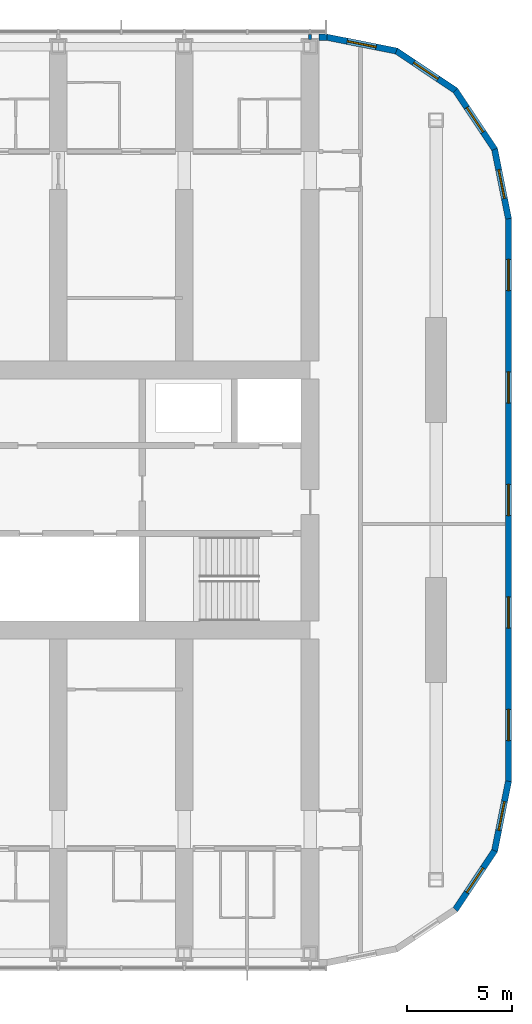
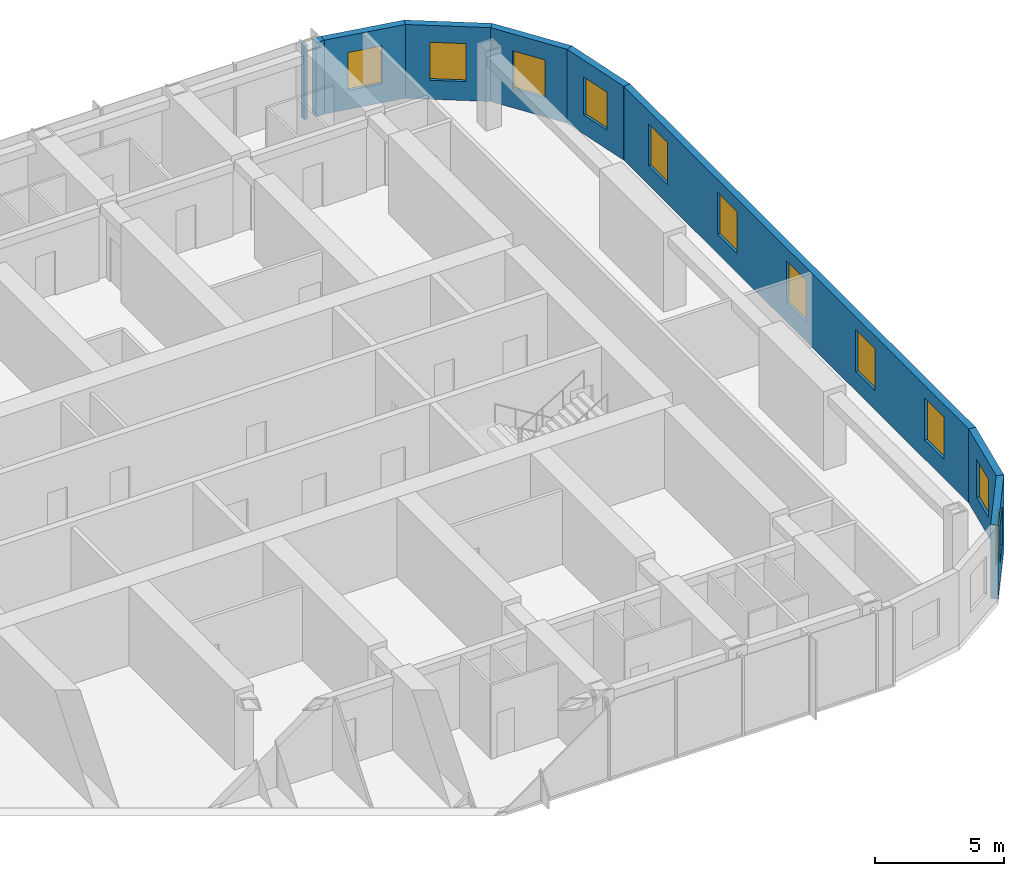
# One storey, part 17 of 22: 11 windows, 9 walls, 11 openings.
"""IFC4 building model written with IfcOpenShell, lengths in metres."""

from ifc_helpers import new_model, si_unit, direction, frame, frame_2d, origin, place, context, subcontext, project, spatial, polyline, rectangle, outline, extrude, material, layer, layer_set, type_object, element, fill, save


model = new_model("IFC4")

# Units and contexts
model_context = context("Model", 3, precision=1e-05, world=origin(), true_north=direction((0.0, 1.0)))
body_context = subcontext(model_context, "Body", "Model", "MODEL_VIEW")
ifc_project = project(units=[si_unit("LENGTHUNIT", "METRE"), si_unit("AREAUNIT", "SQUARE_METRE"), si_unit("VOLUMEUNIT", "CUBIC_METRE"), si_unit("PLANEANGLEUNIT", "RADIAN"), si_unit("MASSUNIT", "GRAM", prefix="KILO")], contexts=[model_context])

# Site, building, storey
site_placement = place(None, origin())
site = spatial("IfcSite", under=ifc_project, at=site_placement, CompositionType="ELEMENT")
building_placement = place(site_placement, origin())
building = spatial("IfcBuilding", under=site, at=building_placement, Name="Orbita Commons", CompositionType="ELEMENT")
storey_placement = place(building_placement, frame((0.0, 0.0, 182.35009765625)))
storey = spatial("IfcBuildingStorey", under=building, at=storey_placement, Name="L45", CompositionType="ELEMENT", Elevation=182.35009765625)

# Wall
ifc_material_1 = material(Name="Gypsum plasterboard on steel studs", Category="steel")
ifc_layer_1 = layer(ifc_material_1, 0.14990234375)
ifc_layer_set_1 = layer_set([ifc_layer_1], Name="Gypsum plasterboard on steel studs")
wall_type_1 = type_object("IfcWallType", Name="Partition 150 plasterboard", PredefinedType="PARTITIONING", material=ifc_layer_set_1)
wall_1_placement = place(storey_placement, frame((66.0, 53.949951171875, 0.0), z_axis=(0.0, 0.0, 1.0), x_axis=(0.0, 1.0, 0.0)))
element("IfcWall", 1, at=wall_1_placement, inside=storey, type_object=wall_type_1, Name="Partition 150 plasterboard L45", PredefinedType="PARTITIONING", context=body_context, shape_type="SweptSolid", body=[
    extrude(rectangle(XDim=0.239990234375, YDim=0.14990234375, at=frame_2d((0.1201171875, 0.0))), origin(), (0.0, 0.0, 1.0), 3.5),
])

# Wall, openings, windows
ifc_material_2 = material(Name="Precast concrete C40/50, white board-marked finish", Category="concrete")
ifc_layer_2 = layer(ifc_material_2, 0.300048828125)
ifc_layer_set_2 = layer_set([ifc_layer_2], Name="Precast concrete C40/50, white board-marked finish")
wall_type_2 = type_object("IfcWallType", Name="Precast concrete end shield 300", PredefinedType="SOLIDWALL", material=ifc_layer_set_2)
wall_2_placement = place(storey_placement, frame((75.449951171875, 18.60009765625, 0.0), z_axis=(0.0, 0.0, 1.0), x_axis=(0.0, 1.0, 0.0)))
wall_2 = element("IfcWall", 2, at=wall_2_placement, inside=storey, type_object=wall_type_2, Name="End shield E L45", PredefinedType="SOLIDWALL", context=body_context, shape_type="SweptSolid", body=[
    extrude(outline(polyline([(-0.014892578125, -0.14990234375), (26.814697265625, -0.14990234375), (26.784912109375, 0.14990234375), (0.014892578125, 0.14990234375), (-0.014892578125, -0.14990234375)])), origin(), (0.0, 0.0, 1.0), 3.5),
])
opening_1_placement = place(wall_2_placement, frame((1.929931640625, 0.0, 0.89990234375)))
opening_1 = element("IfcOpeningElement", 3, at=opening_1_placement, cuts=wall_2, Name="Opening W01", PredefinedType="OPENING", context=body_context, shape_type="SweptSolid", body=[
    extrude(rectangle(XDim=1.5, YDim=2.0, at=frame_2d((0.75, 1.0))), frame((0.0, 0.159912109375, 0.0), z_axis=(0.0, -1.0, 0.0), x_axis=(1.0, 0.0, 0.0)), (0.0, 0.0, 1.0), 0.320068359375),
])
opening_2_placement = place(wall_2_placement, frame((7.2900390625, 0.0, 0.89990234375)))
opening_2 = element("IfcOpeningElement", 4, at=opening_2_placement, cuts=wall_2, Name="Opening W01", PredefinedType="OPENING", context=body_context, shape_type="SweptSolid", body=[
    extrude(rectangle(XDim=1.5, YDim=2.0, at=frame_2d((0.75, 1.0))), frame((0.0, 0.159912109375, 0.0), z_axis=(0.0, -1.0, 0.0), x_axis=(1.0, 0.0, 0.0)), (0.0, 0.0, 1.0), 0.320068359375),
])
opening_3_placement = place(wall_2_placement, frame((12.64990234375, 0.0, 0.89990234375)))
opening_3 = element("IfcOpeningElement", 5, at=opening_3_placement, cuts=wall_2, Name="Opening W01", PredefinedType="OPENING", context=body_context, shape_type="SweptSolid", body=[
    extrude(rectangle(XDim=1.5, YDim=2.0, at=frame_2d((0.75, 1.0))), frame((0.0, 0.159912109375, 0.0), z_axis=(0.0, -1.0, 0.0), x_axis=(1.0, 0.0, 0.0)), (0.0, 0.0, 1.0), 0.320068359375),
])
opening_4_placement = place(wall_2_placement, frame((18.010009765625, 0.0, 0.89990234375)))
opening_4 = element("IfcOpeningElement", 6, at=opening_4_placement, cuts=wall_2, Name="Opening W01", PredefinedType="OPENING", context=body_context, shape_type="SweptSolid", body=[
    extrude(rectangle(XDim=1.5, YDim=2.0, at=frame_2d((0.75, 1.0))), frame((0.0, 0.159912109375, 0.0), z_axis=(0.0, -1.0, 0.0), x_axis=(1.0, 0.0, 0.0)), (0.0, 0.0, 1.0), 0.320068359375),
])
opening_5_placement = place(wall_2_placement, frame((23.3701171875, 0.0, 0.89990234375)))
opening_5 = element("IfcOpeningElement", 7, at=opening_5_placement, cuts=wall_2, Name="Opening W01", PredefinedType="OPENING", context=body_context, shape_type="SweptSolid", body=[
    extrude(rectangle(XDim=1.5, YDim=2.0, at=frame_2d((0.75, 1.0))), frame((0.0, 0.159912109375, 0.0), z_axis=(0.0, -1.0, 0.0), x_axis=(1.0, 0.0, 0.0)), (0.0, 0.0, 1.0), 0.320068359375),
])
ifc_material_3 = material(Name="Aluminium frame, clear double glazing", Category="aluminium")
window_type_1 = type_object("IfcWindowType", Name="Deep-set window 1500x2000", PartitioningType="SINGLE_PANEL", PredefinedType="WINDOW", material=ifc_material_3)
window_1_placement = place(opening_1_placement, origin())
window_1 = element("IfcWindow", 8, at=window_1_placement, inside=storey, type_object=window_type_1, Name="Window L45-E 1", OverallHeight=2.0, OverallWidth=1.5, PartitioningType="SINGLE_PANEL", PredefinedType="WINDOW", context=body_context, shape_type="SweptSolid", body=[
    extrude(rectangle(XDim=1.5, YDim=2.0, at=frame_2d((0.75, 1.0))), frame((0.0, 0.030029296875, 0.0), z_axis=(0.0, -1.0, 0.0), x_axis=(1.0, 0.0, 0.0)), (0.0, 0.0, 1.0), 0.06005859375),
])
fill(opening_1, window_1)
window_2_placement = place(opening_2_placement, origin())
window_2 = element("IfcWindow", 9, at=window_2_placement, inside=storey, type_object=window_type_1, Name="Window L45-E 2", OverallHeight=2.0, OverallWidth=1.5, PartitioningType="SINGLE_PANEL", PredefinedType="WINDOW", context=body_context, shape_type="SweptSolid", body=[
    extrude(rectangle(XDim=1.5, YDim=2.0, at=frame_2d((0.75, 1.0))), frame((0.0, 0.030029296875, 0.0), z_axis=(0.0, -1.0, 0.0), x_axis=(1.0, 0.0, 0.0)), (0.0, 0.0, 1.0), 0.06005859375),
])
fill(opening_2, window_2)
window_3_placement = place(opening_3_placement, origin())
window_3 = element("IfcWindow", 10, at=window_3_placement, inside=storey, type_object=window_type_1, Name="Window L45-E 3", OverallHeight=2.0, OverallWidth=1.5, PartitioningType="SINGLE_PANEL", PredefinedType="WINDOW", context=body_context, shape_type="SweptSolid", body=[
    extrude(rectangle(XDim=1.5, YDim=2.0, at=frame_2d((0.75, 1.0))), frame((0.0, 0.030029296875, 0.0), z_axis=(0.0, -1.0, 0.0), x_axis=(1.0, 0.0, 0.0)), (0.0, 0.0, 1.0), 0.06005859375),
])
fill(opening_3, window_3)
window_4_placement = place(opening_4_placement, origin())
window_4 = element("IfcWindow", 11, at=window_4_placement, inside=storey, type_object=window_type_1, Name="Window L45-E 4", OverallHeight=2.0, OverallWidth=1.5, PartitioningType="SINGLE_PANEL", PredefinedType="WINDOW", context=body_context, shape_type="SweptSolid", body=[
    extrude(rectangle(XDim=1.5, YDim=2.0, at=frame_2d((0.75, 1.0))), frame((0.0, 0.030029296875, 0.0), z_axis=(0.0, -1.0, 0.0), x_axis=(1.0, 0.0, 0.0)), (0.0, 0.0, 1.0), 0.06005859375),
])
fill(opening_4, window_4)
window_5_placement = place(opening_5_placement, origin())
window_5 = element("IfcWindow", 12, at=window_5_placement, inside=storey, type_object=window_type_1, Name="Window L45-E 5", OverallHeight=2.0, OverallWidth=1.5, PartitioningType="SINGLE_PANEL", PredefinedType="WINDOW", context=body_context, shape_type="SweptSolid", body=[
    extrude(rectangle(XDim=1.5, YDim=2.0, at=frame_2d((0.75, 1.0))), frame((0.0, 0.030029296875, 0.0), z_axis=(0.0, -1.0, 0.0), x_axis=(1.0, 0.0, 0.0)), (0.0, 0.0, 1.0), 0.06005859375),
])
fill(opening_5, window_5)

# Wall, opening, window
wall_3_placement = place(storey_placement, frame((72.91650390625, 12.4833984375, 0.0), z_axis=(0.0, 0.0, 1.0), x_axis=(0.555534554399, 0.831493450887, 0.0)))
wall_3 = element("IfcWall", 13, at=wall_3_placement, inside=storey, type_object=wall_type_2, Name="End shield SE chord 3 L45", PredefinedType="SOLIDWALL", context=body_context, shape_type="SweptSolid", body=[
    extrude(outline(polyline([(-0.02978515625, -0.14990234375), (3.405029296875, -0.14990234375), (3.345458984375, 0.14990234375), (0.02978515625, 0.14990234375), (-0.02978515625, -0.14990234375)])), origin(), (0.0, 0.0, 1.0), 3.5),
])
opening_6_placement = place(wall_3_placement, frame((0.987548828125, 0.0, 0.89990234375)))
opening_6 = element("IfcOpeningElement", 14, at=opening_6_placement, cuts=wall_3, Name="Opening W02", PredefinedType="OPENING", context=body_context, shape_type="SweptSolid", body=[
    extrude(rectangle(XDim=1.39990234375, YDim=1.800048828125, at=frame_2d((0.699951171875, 0.89990234375))), frame((0.0, 0.159912109375, 0.0), z_axis=(0.0, -1.0, 0.0), x_axis=(1.0, 0.0, 0.0)), (0.0, 0.0, 1.0), 0.320068359375),
])
ifc_material_4 = material(Name="Aluminium frame, clear double glazing", Category="aluminium")
window_type_2 = type_object("IfcWindowType", Name="Deep-set window 1400x1800", PartitioningType="SINGLE_PANEL", PredefinedType="WINDOW", material=ifc_material_4)
window_6_placement = place(opening_6_placement, origin())
window_6 = element("IfcWindow", 15, at=window_6_placement, inside=storey, type_object=window_type_2, Name="Window L45-SE2", OverallHeight=1.800048828125, OverallWidth=1.39990234375, PartitioningType="SINGLE_PANEL", PredefinedType="WINDOW", context=body_context, shape_type="SweptSolid", body=[
    extrude(rectangle(XDim=1.39990234375, YDim=1.800048828125, at=frame_2d((0.699951171875, 0.89990234375))), frame((0.0, 0.030029296875, 0.0), z_axis=(0.0, -1.0, 0.0), x_axis=(1.0, 0.0, 0.0)), (0.0, 0.0, 1.0), 0.06005859375),
])
fill(opening_6, window_6)

wall_4_placement = place(storey_placement, frame((74.79150390625, 15.289794921875, 0.0), z_axis=(0.0, 0.0, 1.0), x_axis=(0.19508664885, 0.980786011034, 0.0)))
wall_4 = element("IfcWall", 16, at=wall_4_placement, inside=storey, type_object=wall_type_2, Name="End shield SE chord 4 L45", PredefinedType="SOLIDWALL", context=body_context, shape_type="SweptSolid", body=[
    extrude(outline(polyline([(-0.02978515625, -0.14990234375), (3.39013671875, -0.14990234375), (3.3603515625, 0.14990234375), (0.02978515625, 0.14990234375), (-0.02978515625, -0.14990234375)])), origin(), (0.0, 0.0, 1.0), 3.5),
])
opening_7_placement = place(wall_4_placement, frame((0.987548828125, 0.0, 0.89990234375)))
opening_7 = element("IfcOpeningElement", 17, at=opening_7_placement, cuts=wall_4, Name="Opening W02", PredefinedType="OPENING", context=body_context, shape_type="SweptSolid", body=[
    extrude(rectangle(XDim=1.39990234375, YDim=1.800048828125, at=frame_2d((0.699951171875, 0.89990234375))), frame((0.0, 0.159912109375, 0.0), z_axis=(0.0, -1.0, 0.0), x_axis=(1.0, 0.0, 0.0)), (0.0, 0.0, 1.0), 0.320068359375),
])
window_7_placement = place(opening_7_placement, origin())
window_7 = element("IfcWindow", 18, at=window_7_placement, inside=storey, type_object=window_type_2, Name="Window L45-SE3", OverallHeight=1.800048828125, OverallWidth=1.39990234375, PartitioningType="SINGLE_PANEL", PredefinedType="WINDOW", context=body_context, shape_type="SweptSolid", body=[
    extrude(rectangle(XDim=1.39990234375, YDim=1.800048828125, at=frame_2d((0.699951171875, 0.89990234375))), frame((0.0, 0.030029296875, 0.0), z_axis=(0.0, -1.0, 0.0), x_axis=(1.0, 0.0, 0.0)), (0.0, 0.0, 1.0), 0.06005859375),
])
fill(opening_7, window_7)

wall_5_placement = place(storey_placement, frame((75.449951171875, 45.39990234375, 0.0), z_axis=(0.0, 0.0, 1.0), x_axis=(-0.19508664885, 0.980786011034, 0.0)))
wall_5 = element("IfcWall", 19, at=wall_5_placement, inside=storey, type_object=wall_type_2, Name="End shield NE chord 1 L45", PredefinedType="SOLIDWALL", context=body_context, shape_type="SweptSolid", body=[
    extrude(outline(polyline([(-0.014892578125, -0.14990234375), (3.405029296875, -0.14990234375), (3.345458984375, 0.14990234375), (0.014892578125, 0.14990234375), (-0.014892578125, -0.14990234375)])), origin(), (0.0, 0.0, 1.0), 3.5),
])
opening_8_placement = place(wall_5_placement, frame((0.987548828125, 0.0, 0.89990234375)))
opening_8 = element("IfcOpeningElement", 20, at=opening_8_placement, cuts=wall_5, Name="Opening W02", PredefinedType="OPENING", context=body_context, shape_type="SweptSolid", body=[
    extrude(rectangle(XDim=1.39990234375, YDim=1.800048828125, at=frame_2d((0.699951171875, 0.89990234375))), frame((0.0, 0.159912109375, 0.0), z_axis=(0.0, -1.0, 0.0), x_axis=(1.0, 0.0, 0.0)), (0.0, 0.0, 1.0), 0.320068359375),
])
window_8_placement = place(opening_8_placement, origin())
window_8 = element("IfcWindow", 21, at=window_8_placement, inside=storey, type_object=window_type_2, Name="Window L45-NE0", OverallHeight=1.800048828125, OverallWidth=1.39990234375, PartitioningType="SINGLE_PANEL", PredefinedType="WINDOW", context=body_context, shape_type="SweptSolid", body=[
    extrude(rectangle(XDim=1.39990234375, YDim=1.800048828125, at=frame_2d((0.699951171875, 0.89990234375))), frame((0.0, 0.030029296875, 0.0), z_axis=(0.0, -1.0, 0.0), x_axis=(1.0, 0.0, 0.0)), (0.0, 0.0, 1.0), 0.06005859375),
])
fill(opening_8, window_8)

wall_6_placement = place(storey_placement, frame((74.79150390625, 48.710205078125, 0.0), z_axis=(0.0, 0.0, 1.0), x_axis=(-0.555534554399, 0.831493450887, 0.0)))
wall_6 = element("IfcWall", 22, at=wall_6_placement, inside=storey, type_object=wall_type_2, Name="End shield NE chord 2 L45", PredefinedType="SOLIDWALL", context=body_context, shape_type="SweptSolid", body=[
    extrude(outline(polyline([(-0.02978515625, -0.14990234375), (3.405029296875, -0.14990234375), (3.345458984375, 0.14990234375), (0.02978515625, 0.14990234375), (-0.02978515625, -0.14990234375)])), origin(), (0.0, 0.0, 1.0), 3.5),
])
opening_9_placement = place(wall_6_placement, frame((0.987548828125, 0.0, 0.89990234375)))
opening_9 = element("IfcOpeningElement", 23, at=opening_9_placement, cuts=wall_6, Name="Opening W02", PredefinedType="OPENING", context=body_context, shape_type="SweptSolid", body=[
    extrude(rectangle(XDim=1.39990234375, YDim=1.800048828125, at=frame_2d((0.699951171875, 0.89990234375))), frame((0.0, 0.159912109375, 0.0), z_axis=(0.0, -1.0, 0.0), x_axis=(1.0, 0.0, 0.0)), (0.0, 0.0, 1.0), 0.320068359375),
])
window_9_placement = place(opening_9_placement, origin())
window_9 = element("IfcWindow", 24, at=window_9_placement, inside=storey, type_object=window_type_2, Name="Window L45-NE1", OverallHeight=1.800048828125, OverallWidth=1.39990234375, PartitioningType="SINGLE_PANEL", PredefinedType="WINDOW", context=body_context, shape_type="SweptSolid", body=[
    extrude(rectangle(XDim=1.39990234375, YDim=1.800048828125, at=frame_2d((0.699951171875, 0.89990234375))), frame((0.0, 0.030029296875, 0.0), z_axis=(0.0, -1.0, 0.0), x_axis=(1.0, 0.0, 0.0)), (0.0, 0.0, 1.0), 0.06005859375),
])
fill(opening_9, window_9)

wall_7_placement = place(storey_placement, frame((72.91650390625, 51.5166015625, 0.0), z_axis=(0.0, 0.0, 1.0), x_axis=(-0.831493450887, 0.555534554399, 0.0)))
wall_7 = element("IfcWall", 25, at=wall_7_placement, inside=storey, type_object=wall_type_2, Name="End shield NE chord 3 L45", PredefinedType="SOLIDWALL", context=body_context, shape_type="SweptSolid", body=[
    extrude(outline(polyline([(-0.02978515625, -0.14990234375), (3.405029296875, -0.14990234375), (3.345458984375, 0.14990234375), (0.02978515625, 0.14990234375), (-0.02978515625, -0.14990234375)])), origin(), (0.0, 0.0, 1.0), 3.5),
])
opening_10_placement = place(wall_7_placement, frame((0.987548828125, 0.0, 0.89990234375)))
opening_10 = element("IfcOpeningElement", 26, at=opening_10_placement, cuts=wall_7, Name="Opening W02", PredefinedType="OPENING", context=body_context, shape_type="SweptSolid", body=[
    extrude(rectangle(XDim=1.39990234375, YDim=1.800048828125, at=frame_2d((0.699951171875, 0.89990234375))), frame((0.0, 0.159912109375, 0.0), z_axis=(0.0, -1.0, 0.0), x_axis=(1.0, 0.0, 0.0)), (0.0, 0.0, 1.0), 0.320068359375),
])
window_10_placement = place(opening_10_placement, origin())
window_10 = element("IfcWindow", 27, at=window_10_placement, inside=storey, type_object=window_type_2, Name="Window L45-NE2", OverallHeight=1.800048828125, OverallWidth=1.39990234375, PartitioningType="SINGLE_PANEL", PredefinedType="WINDOW", context=body_context, shape_type="SweptSolid", body=[
    extrude(rectangle(XDim=1.39990234375, YDim=1.800048828125, at=frame_2d((0.699951171875, 0.89990234375))), frame((0.0, 0.030029296875, 0.0), z_axis=(0.0, -1.0, 0.0), x_axis=(1.0, 0.0, 0.0)), (0.0, 0.0, 1.0), 0.06005859375),
])
fill(opening_10, window_10)

wall_8_placement = place(storey_placement, frame((70.110107421875, 53.3916015625, 0.0), z_axis=(0.0, 0.0, 1.0), x_axis=(-0.98078325777, 0.195100490205, 0.0)))
wall_8 = element("IfcWall", 28, at=wall_8_placement, inside=storey, type_object=wall_type_2, Name="End shield NE chord 4 L45", PredefinedType="SOLIDWALL", context=body_context, shape_type="SweptSolid", body=[
    extrude(outline(polyline([(-0.02978515625, -0.14990234375), (3.40478515625, -0.14990234375), (3.34521484375, 0.14990234375), (0.02978515625, 0.14990234375), (-0.02978515625, -0.14990234375)])), origin(), (0.0, 0.0, 1.0), 3.5),
])
opening_11_placement = place(wall_8_placement, frame((0.987548828125, 0.0, 0.89990234375)))
opening_11 = element("IfcOpeningElement", 29, at=opening_11_placement, cuts=wall_8, Name="Opening W02", PredefinedType="OPENING", context=body_context, shape_type="SweptSolid", body=[
    extrude(rectangle(XDim=1.39990234375, YDim=1.800048828125, at=frame_2d((0.699951171875, 0.89990234375))), frame((0.0, 0.159912109375, 0.0), z_axis=(0.0, -1.0, 0.0), x_axis=(1.0, 0.0, 0.0)), (0.0, 0.0, 1.0), 0.320068359375),
])
window_11_placement = place(opening_11_placement, origin())
window_11 = element("IfcWindow", 30, at=window_11_placement, inside=storey, type_object=window_type_2, Name="Window L45-NE3", OverallHeight=1.800048828125, OverallWidth=1.39990234375, PartitioningType="SINGLE_PANEL", PredefinedType="WINDOW", context=body_context, shape_type="SweptSolid", body=[
    extrude(rectangle(XDim=1.39990234375, YDim=1.800048828125, at=frame_2d((0.699951171875, 0.89990234375))), frame((0.0, 0.030029296875, 0.0), z_axis=(0.0, -1.0, 0.0), x_axis=(1.0, 0.0, 0.0)), (0.0, 0.0, 1.0), 0.06005859375),
])
fill(opening_11, window_11)

# Wall
wall_9_placement = place(storey_placement, frame((66.800048828125, 54.050048828125, 0.0), z_axis=(0.0, 0.0, 1.0), x_axis=(-1.0, 0.0, 0.0)))
element("IfcWall", 31, at=wall_9_placement, inside=storey, type_object=wall_type_2, Name="End shield NE closer L45", PredefinedType="SOLIDWALL", context=body_context, shape_type="SweptSolid", body=[
    extrude(rectangle(XDim=0.375, YDim=0.300048828125, at=frame_2d((0.1875, 0.0))), origin(), (0.0, 0.0, 1.0), 3.5),
])

save(model, "model.ifc")
